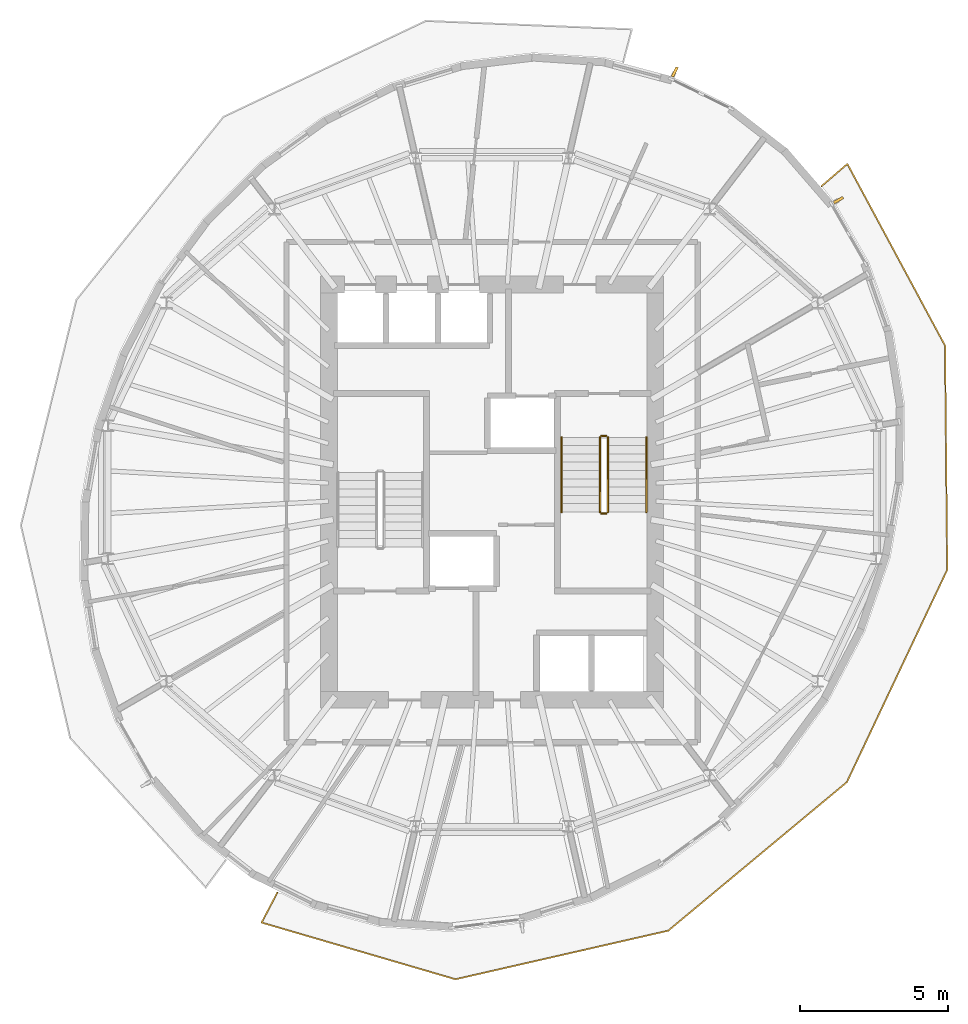
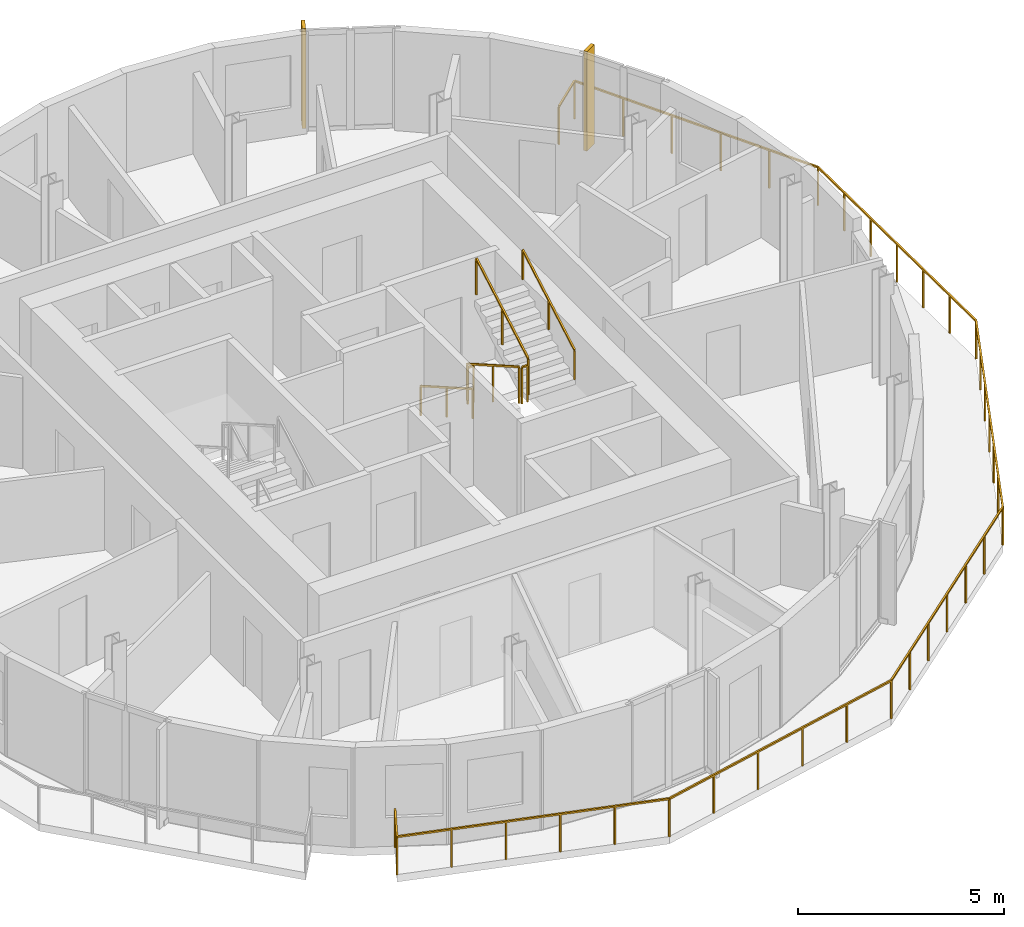
# One storey, part 9 of 9: 7 railings, 2 shading devices.
"""IFC4 building model written with IfcOpenShell, lengths in metres."""

from ifc_helpers import new_model, si_unit, direction, frame, origin, origin_2d, place, context, subcontext, project, spatial, rectangle, extrude, material, layer, layer_set, type_object, element, save


model = new_model("IFC4")

# Units and contexts
model_context = context("Model", 3, precision=1e-05, world=origin(), true_north=direction((0.0, 1.0)))
body_context = subcontext(model_context, "Body", "Model", "MODEL_VIEW")
ifc_project = project(units=[si_unit("LENGTHUNIT", "METRE"), si_unit("AREAUNIT", "SQUARE_METRE"), si_unit("VOLUMEUNIT", "CUBIC_METRE"), si_unit("PLANEANGLEUNIT", "RADIAN"), si_unit("MASSUNIT", "GRAM", prefix="KILO")], contexts=[model_context])

# Site, building, storey
site_placement = place(None, origin())
site = spatial("IfcSite", under=ifc_project, at=site_placement, CompositionType="ELEMENT")
building_placement = place(site_placement, origin())
building = spatial("IfcBuilding", under=site, at=building_placement, Name="Veldorim Arch Residences", CompositionType="ELEMENT")
storey_placement = place(building_placement, frame((0.0, 0.0, 230.239990234375)))
storey = spatial("IfcBuildingStorey", under=building, at=storey_placement, Name="L69", CompositionType="ELEMENT", Elevation=230.239990234375)

# Railings
ifc_material_1 = material(Name="Aluminium", Category="aluminium")
railing_type_1 = type_object("IfcRailingType", Name="Balcony & Terrace Laminated Glass Balustrade 1150", PredefinedType="BALUSTRADE", material=ifc_material_1)
railing_1_placement = place(storey_placement, frame((24.762939453125, 10.509765625, 0.0)))
element("IfcRailing", 1, at=railing_1_placement, inside=storey, type_object=railing_type_1, Name="L69 crescent balcony safety balustrade B", PredefinedType="BALUSTRADE", context=body_context, shape_type="SweptSolid", body=[
    extrude(rectangle(XDim=0.048095703125, YDim=0.048095703125, at=origin_2d()), frame((0.0, 0.0, 1.1259765625), z_axis=(-0.463864199594, -0.885906318035, 0.0), x_axis=(0.885906318035, -0.463864199594, 0.0)), (0.0, 0.0, 1.0), 1.14990234375),
    extrude(rectangle(XDim=0.048095703125, YDim=0.048095703125, at=origin_2d()), frame((-0.533447265625, -1.018798828125, 1.1259765625), z_axis=(0.959790908213, -0.280715892872, 0.0), x_axis=(0.280715892872, 0.959790908213, 0.0)), (0.0, 0.0, 1.0), 6.808837890625),
    extrude(rectangle(XDim=0.048095703125, YDim=0.048095703125, at=origin_2d()), frame((6.001708984375, -2.93017578125, 1.1259765625), z_axis=(0.974894330138, 0.222668015359, 0.0), x_axis=(-0.222668015359, 0.974894330138, 0.0)), (0.0, 0.0, 1.0), 7.357177734375),
    extrude(rectangle(XDim=0.048095703125, YDim=0.048095703125, at=origin_2d()), frame((13.174072265625, -1.2919921875, 1.1259765625), z_axis=(0.768984766623, 0.639267102784, 0.0), x_axis=(-0.639267102784, 0.768984766623, 0.0)), (0.0, 0.0, 1.0), 7.831298828125),
    extrude(rectangle(XDim=0.048095703125, YDim=0.048095703125, at=origin_2d()), frame((19.1962890625, 3.71435546875, 1.1259765625), z_axis=(0.427261869219, 0.904127919661, 0.0), x_axis=(-0.904127919661, 0.427261869219, 0.0)), (0.0, 0.0, 1.0), 7.919189453125),
    extrude(rectangle(XDim=0.048095703125, YDim=0.048095703125, at=origin_2d()), frame((22.579833984375, 10.874267578125, 1.1259765625), z_axis=(-0.009823407069, 0.999951749173, 0.0), x_axis=(-0.999951749173, -0.009823407069, 0.0)), (0.0, 0.0, 1.0), 7.55517578125),
    extrude(rectangle(XDim=0.048095703125, YDim=0.048095703125, at=origin_2d()), frame((22.505615234375, 18.42919921875, 1.1259765625), z_axis=(-0.473522077571, 0.880781949209, 0.0), x_axis=(-0.880781949209, -0.473522077571, 0.0)), (0.0, 0.0, 1.0), 6.956298828125),
    extrude(rectangle(XDim=0.048095703125, YDim=0.048095703125, at=origin_2d()), frame((19.211669921875, 24.55615234375, 1.1259765625), z_axis=(-0.757500465895, -0.652834622373, 0.0), x_axis=(0.652834622373, -0.757500465895, 0.0)), (0.0, 0.0, 1.0), 1.14990234375),
    extrude(rectangle(XDim=0.0419921875, YDim=0.0419921875, at=origin_2d()), origin(), (0.0, 0.0, 1.0), 1.101806640625),
    extrude(rectangle(XDim=0.0419921875, YDim=0.0419921875, at=origin_2d()), frame((-0.533447265625, -1.018798828125, 0.0)), (0.0, 0.0, 1.0), 1.101806640625),
    extrude(rectangle(XDim=0.0419921875, YDim=0.0419921875, at=origin_2d()), frame((0.773681640625, -1.401123046875, 0.0)), (0.0, 0.0, 1.0), 1.101806640625),
    extrude(rectangle(XDim=0.0419921875, YDim=0.0419921875, at=origin_2d()), frame((2.08056640625, -1.783447265625, 0.0)), (0.0, 0.0, 1.0), 1.101806640625),
    extrude(rectangle(XDim=0.0419921875, YDim=0.0419921875, at=origin_2d()), frame((3.3876953125, -2.16552734375, 0.0)), (0.0, 0.0, 1.0), 1.101806640625),
    extrude(rectangle(XDim=0.0419921875, YDim=0.0419921875, at=origin_2d()), frame((4.694580078125, -2.5478515625, 0.0)), (0.0, 0.0, 1.0), 1.101806640625),
    extrude(rectangle(XDim=0.0419921875, YDim=0.0419921875, at=origin_2d()), frame((6.001708984375, -2.93017578125, 0.0)), (0.0, 0.0, 1.0), 1.101806640625),
    extrude(rectangle(XDim=0.0419921875, YDim=0.0419921875, at=origin_2d()), frame((7.436279296875, -2.6025390625, 0.0)), (0.0, 0.0, 1.0), 1.101806640625),
    extrude(rectangle(XDim=0.0419921875, YDim=0.0419921875, at=origin_2d()), frame((8.87060546875, -2.27490234375, 0.0)), (0.0, 0.0, 1.0), 1.101806640625),
    extrude(rectangle(XDim=0.0419921875, YDim=0.0419921875, at=origin_2d()), frame((10.30517578125, -1.947265625, 0.0)), (0.0, 0.0, 1.0), 1.101806640625),
    extrude(rectangle(XDim=0.0419921875, YDim=0.0419921875, at=origin_2d()), frame((11.739501953125, -1.61962890625, 0.0)), (0.0, 0.0, 1.0), 1.101806640625),
    extrude(rectangle(XDim=0.0419921875, YDim=0.0419921875, at=origin_2d()), frame((13.174072265625, -1.2919921875, 0.0)), (0.0, 0.0, 1.0), 1.101806640625),
    extrude(rectangle(XDim=0.0419921875, YDim=0.0419921875, at=origin_2d()), frame((14.177734375, -0.45751953125, 0.0)), (0.0, 0.0, 1.0), 1.101806640625),
    extrude(rectangle(XDim=0.0419921875, YDim=0.0419921875, at=origin_2d()), frame((15.181396484375, 0.376708984375, 0.0)), (0.0, 0.0, 1.0), 1.101806640625),
    extrude(rectangle(XDim=0.0419921875, YDim=0.0419921875, at=origin_2d()), frame((16.18505859375, 1.211181640625, 0.0)), (0.0, 0.0, 1.0), 1.101806640625),
    extrude(rectangle(XDim=0.0419921875, YDim=0.0419921875, at=origin_2d()), frame((17.18896484375, 2.045654296875, 0.0)), (0.0, 0.0, 1.0), 1.101806640625),
    extrude(rectangle(XDim=0.0419921875, YDim=0.0419921875, at=origin_2d()), frame((18.192626953125, 2.8798828125, 0.0)), (0.0, 0.0, 1.0), 1.101806640625),
    extrude(rectangle(XDim=0.0419921875, YDim=0.0419921875, at=origin_2d()), frame((19.1962890625, 3.71435546875, 0.0)), (0.0, 0.0, 1.0), 1.101806640625),
    extrude(rectangle(XDim=0.0419921875, YDim=0.0419921875, at=origin_2d()), frame((19.76025390625, 4.90771484375, 0.0)), (0.0, 0.0, 1.0), 1.101806640625),
    extrude(rectangle(XDim=0.0419921875, YDim=0.0419921875, at=origin_2d()), frame((20.32421875, 6.10107421875, 0.0)), (0.0, 0.0, 1.0), 1.101806640625),
    extrude(rectangle(XDim=0.0419921875, YDim=0.0419921875, at=origin_2d()), frame((20.88818359375, 7.29443359375, 0.0)), (0.0, 0.0, 1.0), 1.101806640625),
    extrude(rectangle(XDim=0.0419921875, YDim=0.0419921875, at=origin_2d()), frame((21.451904296875, 8.487548828125, 0.0)), (0.0, 0.0, 1.0), 1.101806640625),
    extrude(rectangle(XDim=0.0419921875, YDim=0.0419921875, at=origin_2d()), frame((22.015869140625, 9.680908203125, 0.0)), (0.0, 0.0, 1.0), 1.101806640625),
    extrude(rectangle(XDim=0.0419921875, YDim=0.0419921875, at=origin_2d()), frame((22.579833984375, 10.874267578125, 0.0)), (0.0, 0.0, 1.0), 1.101806640625),
    extrude(rectangle(XDim=0.0419921875, YDim=0.0419921875, at=origin_2d()), frame((22.5673828125, 12.13330078125, 0.0)), (0.0, 0.0, 1.0), 1.101806640625),
    extrude(rectangle(XDim=0.0419921875, YDim=0.0419921875, at=origin_2d()), frame((22.55517578125, 13.392578125, 0.0)), (0.0, 0.0, 1.0), 1.101806640625),
    extrude(rectangle(XDim=0.0419921875, YDim=0.0419921875, at=origin_2d()), frame((22.542724609375, 14.65185546875, 0.0)), (0.0, 0.0, 1.0), 1.101806640625),
    extrude(rectangle(XDim=0.0419921875, YDim=0.0419921875, at=origin_2d()), frame((22.5302734375, 15.910888671875, 0.0)), (0.0, 0.0, 1.0), 1.101806640625),
    extrude(rectangle(XDim=0.0419921875, YDim=0.0419921875, at=origin_2d()), frame((22.51806640625, 17.169921875, 0.0)), (0.0, 0.0, 1.0), 1.101806640625),
    extrude(rectangle(XDim=0.0419921875, YDim=0.0419921875, at=origin_2d()), frame((22.505615234375, 18.42919921875, 0.0)), (0.0, 0.0, 1.0), 1.101806640625),
    extrude(rectangle(XDim=0.0419921875, YDim=0.0419921875, at=origin_2d()), frame((21.846923828125, 19.654541015625, 0.0)), (0.0, 0.0, 1.0), 1.101806640625),
    extrude(rectangle(XDim=0.0419921875, YDim=0.0419921875, at=origin_2d()), frame((21.18798828125, 20.8798828125, 0.0)), (0.0, 0.0, 1.0), 1.101806640625),
    extrude(rectangle(XDim=0.0419921875, YDim=0.0419921875, at=origin_2d()), frame((20.529296875, 22.10546875, 0.0)), (0.0, 0.0, 1.0), 1.101806640625),
    extrude(rectangle(XDim=0.0419921875, YDim=0.0419921875, at=origin_2d()), frame((19.870361328125, 23.330810546875, 0.0)), (0.0, 0.0, 1.0), 1.101806640625),
    extrude(rectangle(XDim=0.0419921875, YDim=0.0419921875, at=origin_2d()), frame((19.211669921875, 24.55615234375, 0.0)), (0.0, 0.0, 1.0), 1.101806640625),
    extrude(rectangle(XDim=0.0419921875, YDim=0.0419921875, at=origin_2d()), frame((18.340576171875, 23.805419921875, 0.0)), (0.0, 0.0, 1.0), 1.101806640625),
])
ifc_material_2 = material(Name="Steel S355", Category="steel")
railing_type_2 = type_object("IfcRailingType", Name="Galvanised Steel Stair Safety Guardrail 1100", PredefinedType="GUARDRAIL", material=ifc_material_2)
railing_2_placement = place(storey_placement, frame((35.639892578125, 25.85009765625, 0.159912109375)))
element("IfcRailing", 2, at=railing_2_placement, inside=storey, type_object=railing_type_2, Name="L69 ST-2 stair guard 1", PredefinedType="GUARDRAIL", context=body_context, shape_type="SweptSolid", body=[
    extrude(rectangle(XDim=0.048095703125, YDim=0.048095703125, at=origin_2d()), frame((0.0, 0.0, 1.076171875), z_axis=(0.0, -0.868217259934, 0.496184229447), x_axis=(1.0, 0.0, 0.0)), (0.0, 0.0, 1.0), 2.902587890625),
    extrude(rectangle(XDim=0.0419921875, YDim=0.0419921875, at=origin_2d()), origin(), (0.0, 0.0, 1.0), 1.052001953125),
    extrude(rectangle(XDim=0.0419921875, YDim=0.0419921875, at=origin_2d()), frame((0.0, -1.260009765625, 0.72021484375)), (0.0, 0.0, 1.0), 1.052001953125),
    extrude(rectangle(XDim=0.0419921875, YDim=0.0419921875, at=origin_2d()), frame((0.0, -2.52001953125, 1.440185546875)), (0.0, 0.0, 1.0), 1.052001953125),
])
railing_3_placement = place(storey_placement, frame((35.68994140625, 23.280029296875, 1.60009765625)))
element("IfcRailing", 3, at=railing_3_placement, inside=storey, type_object=railing_type_2, Name="L69 ST-2 stair guard 2", PredefinedType="GUARDRAIL", context=body_context, shape_type="SweptSolid", body=[
    extrude(rectangle(XDim=0.048095703125, YDim=0.048095703125, at=origin_2d()), frame((0.0, 0.0, 1.076171875), z_axis=(1.0, 0.0, 0.0), x_axis=(0.0, 1.0, 0.0)), (0.0, 0.0, 1.0), 0.16015625),
    extrude(rectangle(XDim=0.0419921875, YDim=0.0419921875, at=origin_2d()), origin(), (0.0, 0.0, 1.0), 1.052001953125),
    extrude(rectangle(XDim=0.0419921875, YDim=0.0419921875, at=origin_2d()), frame((0.16015625, 0.0, 0.0)), (0.0, 0.0, 1.0), 1.052001953125),
])
railing_4_placement = place(storey_placement, frame((35.89990234375, 23.330078125, 1.760009765625)))
element("IfcRailing", 4, at=railing_4_placement, inside=storey, type_object=railing_type_2, Name="L69 ST-2 stair guard 3", PredefinedType="GUARDRAIL", context=body_context, shape_type="SweptSolid", body=[
    extrude(rectangle(XDim=0.048095703125, YDim=0.048095703125, at=origin_2d()), frame((0.0, 0.0, 1.076171875), z_axis=(0.0, 0.868253494771, 0.496120820787), x_axis=(-1.0, 0.0, 0.0)), (0.0, 0.0, 1.0), 2.90234375),
    extrude(rectangle(XDim=0.0419921875, YDim=0.0419921875, at=origin_2d()), origin(), (0.0, 0.0, 1.0), 1.052001953125),
    extrude(rectangle(XDim=0.0419921875, YDim=0.0419921875, at=origin_2d()), frame((0.0, 1.260009765625, 0.719970703125)), (0.0, 0.0, 1.0), 1.052001953125),
    extrude(rectangle(XDim=0.0419921875, YDim=0.0419921875, at=origin_2d()), frame((0.0, 2.52001953125, 1.43994140625)), (0.0, 0.0, 1.0), 1.052001953125),
])
railing_5_placement = place(storey_placement, frame((35.68994140625, 25.89990234375, 0.0)))
element("IfcRailing", 5, at=railing_5_placement, inside=storey, type_object=railing_type_2, Name="L69 ST-2 stair guard 4", PredefinedType="GUARDRAIL", context=body_context, shape_type="SweptSolid", body=[
    extrude(rectangle(XDim=0.048095703125, YDim=0.048095703125, at=origin_2d()), frame((0.0, 0.0, 1.076171875), z_axis=(1.0, 0.0, 0.0), x_axis=(0.0, 1.0, 0.0)), (0.0, 0.0, 1.0), 0.16015625),
    extrude(rectangle(XDim=0.0419921875, YDim=0.0419921875, at=origin_2d()), origin(), (0.0, 0.0, 1.0), 1.052001953125),
    extrude(rectangle(XDim=0.0419921875, YDim=0.0419921875, at=origin_2d()), frame((0.16015625, 0.0, 0.0)), (0.0, 0.0, 1.0), 1.052001953125),
])
ifc_material_3 = material(Name="Stainless Steel", Category="steel")
railing_type_3 = type_object("IfcRailingType", Name="Tubular Steel Continuous Wall Handrail 900", PredefinedType="HANDRAIL", material=ifc_material_3)
railing_6_placement = place(storey_placement, frame((34.340087890625, 25.85009765625, 0.159912109375)))
element("IfcRailing", 6, at=railing_6_placement, inside=storey, type_object=railing_type_3, Name="L69 ST-2 stair handrail 1", PredefinedType="HANDRAIL", context=body_context, shape_type="SweptSolid", body=[
    extrude(rectangle(XDim=0.048095703125, YDim=0.048095703125, at=origin_2d()), frame((0.0, 0.0, 0.8759765625), z_axis=(0.0, -0.868217259934, 0.496184229447), x_axis=(1.0, 0.0, 0.0)), (0.0, 0.0, 1.0), 2.902587890625),
    extrude(rectangle(XDim=0.0419921875, YDim=0.0419921875, at=origin_2d()), origin(), (0.0, 0.0, 1.0), 0.851806640625),
    extrude(rectangle(XDim=0.0419921875, YDim=0.0419921875, at=origin_2d()), frame((0.0, -1.260009765625, 0.72021484375)), (0.0, 0.0, 1.0), 0.851806640625),
    extrude(rectangle(XDim=0.0419921875, YDim=0.0419921875, at=origin_2d()), frame((0.0, -2.52001953125, 1.440185546875)), (0.0, 0.0, 1.0), 0.851806640625),
])
railing_7_placement = place(storey_placement, frame((37.199951171875, 23.330078125, 1.760009765625)))
element("IfcRailing", 7, at=railing_7_placement, inside=storey, type_object=railing_type_3, Name="L69 ST-2 stair handrail 2", PredefinedType="HANDRAIL", context=body_context, shape_type="SweptSolid", body=[
    extrude(rectangle(XDim=0.048095703125, YDim=0.048095703125, at=origin_2d()), frame((0.0, 0.0, 0.8759765625), z_axis=(0.0, 0.868253494771, 0.496120820787), x_axis=(-1.0, 0.0, 0.0)), (0.0, 0.0, 1.0), 2.90234375),
    extrude(rectangle(XDim=0.0419921875, YDim=0.0419921875, at=origin_2d()), origin(), (0.0, 0.0, 1.0), 0.851806640625),
    extrude(rectangle(XDim=0.0419921875, YDim=0.0419921875, at=origin_2d()), frame((0.0, 1.260009765625, 0.719970703125)), (0.0, 0.0, 1.0), 0.851806640625),
    extrude(rectangle(XDim=0.0419921875, YDim=0.0419921875, at=origin_2d()), frame((0.0, 2.52001953125, 1.43994140625)), (0.0, 0.0, 1.0), 0.851806640625),
])

# Shading devices
ifc_material_4 = material(Name="Terracotta Ceramic", Category="masonry")
ifc_layer = layer(ifc_material_4, 0.090087890625, Name="Vertical Extruded Terracotta Baguette Sun-Shading Fin")
ifc_layer_set = layer_set([ifc_layer], Name="Terracotta Ceramic")
shading_device_type = type_object("IfcShadingDeviceType", Name="Vertical Extruded Terracotta Baguette Sun-Shading Fin", PredefinedType="USERDEFINED", material=ifc_layer_set)
for number, where, z_axis, x_axis, name in (
    (8, (38.15771484375, 38.1630859375, 0.0), (0.0, 0.0, 1.0), (0.89656374724, -0.442914717678, 0.0), "L69 vertical terracotta sun-shading fin 01"),
    (9, (43.67626953125, 33.844482421875, 0.0), (0.0, 0.0, 1.0), (0.496216503675, -0.868198814489, 0.0), "L69 vertical terracotta sun-shading fin 34"),
):
    element("IfcShadingDevice", number, at=place(storey_placement, frame(where, z_axis=z_axis, x_axis=x_axis)), inside=storey, type_object=shading_device_type, Name=name, ObjectType="FIN", PredefinedType="USERDEFINED", context=body_context, shape_type="SweptSolid", body=[
        extrude(rectangle(XDim=0.090087890625, YDim=0.360107421875, at=origin_2d()), origin(), (0.0, 0.0, 1.0), 2.9599609375),
    ])

save(model, "model.ifc")
